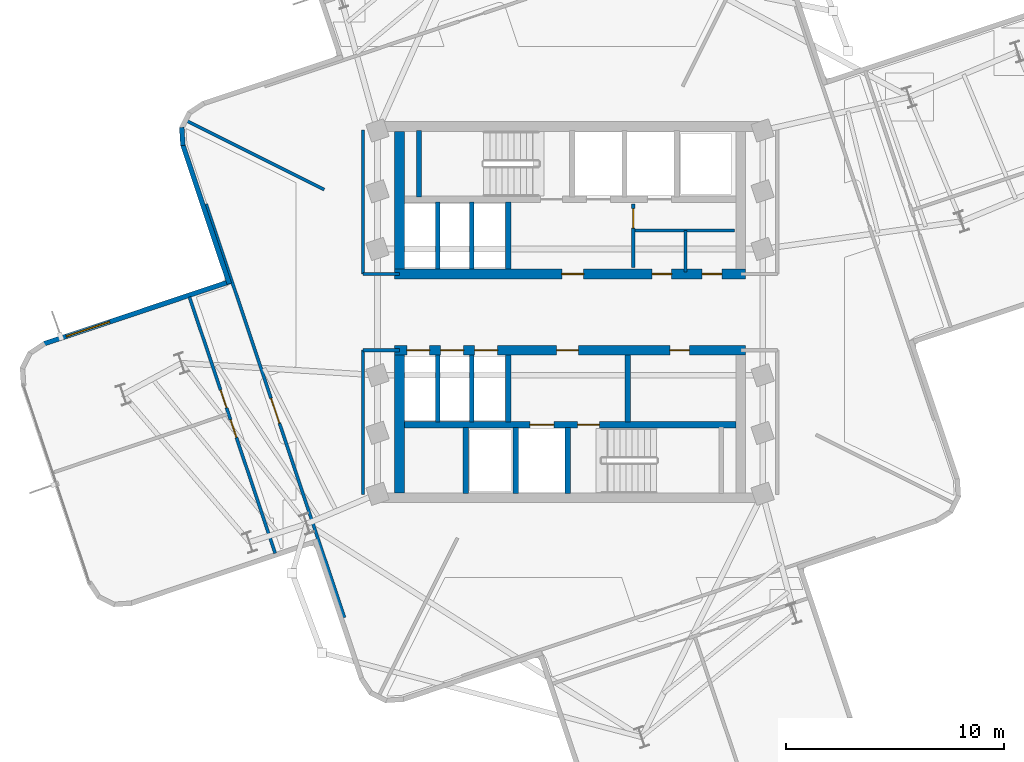
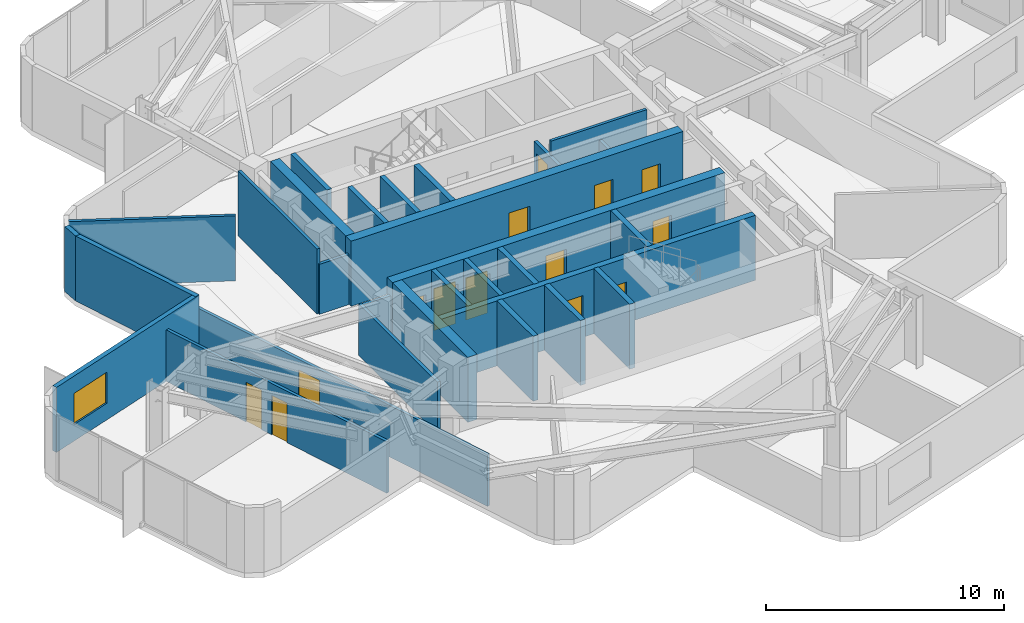
# One storey, part 7 of 12: 29 walls, 14 doors, 1 window, 15 openings.
"""IFC4 building model written with IfcOpenShell, lengths in metres."""

from ifc_helpers import new_model, si_unit, direction, frame, frame_2d, origin, place, context, subcontext, project, spatial, rectangle, extrude, material, layer, layer_set, type_object, element, fill, save


model = new_model("IFC4")

# Units and contexts
model_context = context("Model", 3, precision=1e-05, world=origin(), true_north=direction((0.0, 1.0)))
body_context = subcontext(model_context, "Body", "Model", "MODEL_VIEW")
ifc_project = project(units=[si_unit("LENGTHUNIT", "METRE"), si_unit("AREAUNIT", "SQUARE_METRE"), si_unit("VOLUMEUNIT", "CUBIC_METRE"), si_unit("PLANEANGLEUNIT", "RADIAN"), si_unit("MASSUNIT", "GRAM", prefix="KILO")], contexts=[model_context])

# Site, building, storey
site_placement = place(None, origin())
site = spatial("IfcSite", under=ifc_project, at=site_placement, CompositionType="ELEMENT")
building_placement = place(site_placement, origin())
building = spatial("IfcBuilding", under=site, at=building_placement, Name="Solmarez Civic Tower", CompositionType="ELEMENT")
storey_placement = place(building_placement, frame((0.0, 0.0, 163.080078125)))
storey = spatial("IfcBuildingStorey", under=building, at=storey_placement, Name="L43", CompositionType="ELEMENT", Elevation=163.080078125)

# Wall, openings, doors
ifc_material_1 = material(Name="Concrete C50/60", Category="concrete")
ifc_layer_1 = layer(ifc_material_1, 0.449951171875)
ifc_layer_set_1 = layer_set([ifc_layer_1], Name="Concrete C50/60")
wall_type_1 = type_object("IfcWallType", Name="WALL-CORE-450", PredefinedType="SHEAR", material=ifc_layer_set_1)
wall_1_placement = place(storey_placement, frame((8.070068359375, 1.75, 0.0), z_axis=(0.0, 0.0, 1.0), x_axis=(-1.0, 0.0, 0.0)))
wall_1 = element("IfcWall", 1, at=wall_1_placement, inside=storey, type_object=wall_type_1, Name="L43 Split-Core Structural Wall NCW-S-L43", PredefinedType="SHEAR", context=body_context, shape_type="SweptSolid", body=[
    extrude(rectangle(XDim=16.14013671875, YDim=0.449951171875, at=frame_2d((8.070068359375, 0.0))), origin(), (0.0, 0.0, 1.0), 3.33984375),
])
opening_1_placement = place(wall_1_placement, frame((7.449951171875, 0.0, 0.0)))
opening_1 = element("IfcOpeningElement", 2, at=opening_1_placement, cuts=wall_1, Name="Opening D-04", PredefinedType="OPENING", context=body_context, shape_type="SweptSolid", body=[
    extrude(rectangle(XDim=1.0, YDim=2.10009765625, at=frame_2d((0.5, 1.050048828125))), frame((0.0, 0.23486328125, 0.0), z_axis=(0.0, -1.0, 0.0), x_axis=(1.0, 0.0, 0.0)), (0.0, 0.0, 1.0), 0.469970703125),
])
opening_2_placement = place(wall_1_placement, frame((3.39990234375, 0.0, 0.0)))
opening_2 = element("IfcOpeningElement", 3, at=opening_2_placement, cuts=wall_1, Name="Opening D-09", PredefinedType="OPENING", context=body_context, shape_type="SweptSolid", body=[
    extrude(rectangle(XDim=0.89990234375, YDim=2.06005859375, at=frame_2d((0.449951171875, 1.030029296875))), frame((0.0, 0.23486328125, 0.0), z_axis=(0.0, -1.0, 0.0), x_axis=(1.0, 0.0, 0.0)), (0.0, 0.0, 1.0), 0.469970703125),
])
opening_3_placement = place(wall_1_placement, frame((1.10009765625, 0.0, 0.0)))
opening_3 = element("IfcOpeningElement", 4, at=opening_3_placement, cuts=wall_1, Name="Opening D-09", PredefinedType="OPENING", context=body_context, shape_type="SweptSolid", body=[
    extrude(rectangle(XDim=0.89990234375, YDim=2.06005859375, at=frame_2d((0.449951171875, 1.030029296875))), frame((0.0, 0.23486328125, 0.0), z_axis=(0.0, -1.0, 0.0), x_axis=(1.0, 0.0, 0.0)), (0.0, 0.0, 1.0), 0.469970703125),
])
ifc_material_2 = material(Name="Steel-Faced Acoustic Fire Door", Category="steel")
door_type_1 = type_object("IfcDoorType", Name="DOOR-FD60-1000", OperationType="NOTDEFINED", PredefinedType="DOOR", material=ifc_material_2)
door_1_placement = place(opening_1_placement, origin())
door_1 = element("IfcDoor", 5, at=door_1_placement, inside=storey, type_object=door_type_1, Name="L43 North Firefighting Lobby Door", OperationType="SINGLE_SWING_RIGHT", OverallHeight=2.10009765625, OverallWidth=1.0, PredefinedType="DOOR", context=body_context, shape_type="SweptSolid", body=[
    extrude(rectangle(XDim=1.0, YDim=2.10009765625, at=frame_2d((0.5, 1.050048828125))), frame((0.0, 0.02490234375, 0.0), z_axis=(0.0, -1.0, 0.0), x_axis=(1.0, 0.0, 0.0)), (0.0, 0.0, 1.0), 0.050048828125),
])
fill(opening_1, door_1)
ifc_material_3 = material(Name="Fire-Rated Service Core Door", Category="wood")
door_type_2 = type_object("IfcDoorType", Name="DOOR-FD60-900", OperationType="NOTDEFINED", PredefinedType="DOOR", material=ifc_material_3)
door_2_placement = place(opening_2_placement, origin())
door_2 = element("IfcDoor", 6, at=door_2_placement, inside=storey, type_object=door_type_2, Name="L43 Core WC Door", OperationType="SINGLE_SWING_LEFT", OverallHeight=2.06005859375, OverallWidth=0.89990234375, PredefinedType="DOOR", context=body_context, shape_type="SweptSolid", body=[
    extrude(rectangle(XDim=0.89990234375, YDim=2.06005859375, at=frame_2d((0.449951171875, 1.030029296875))), frame((0.0, 0.02490234375, 0.0), z_axis=(0.0, -1.0, 0.0), x_axis=(1.0, 0.0, 0.0)), (0.0, 0.0, 1.0), 0.050048828125),
])
fill(opening_2, door_2)
door_3_placement = place(opening_3_placement, origin())
door_3 = element("IfcDoor", 7, at=door_3_placement, inside=storey, type_object=door_type_2, Name="L43 Core CL Door", OperationType="SINGLE_SWING_RIGHT", OverallHeight=2.06005859375, OverallWidth=0.89990234375, PredefinedType="DOOR", context=body_context, shape_type="SweptSolid", body=[
    extrude(rectangle(XDim=0.89990234375, YDim=2.06005859375, at=frame_2d((0.449951171875, 1.030029296875))), frame((0.0, 0.02490234375, 0.0), z_axis=(0.0, -1.0, 0.0), x_axis=(1.0, 0.0, 0.0)), (0.0, 0.0, 1.0), 0.050048828125),
])
fill(opening_3, door_3)

# Wall
wall_2_placement = place(storey_placement, frame((-7.844970703125, 1.97509765625, 0.0), z_axis=(0.0, 0.0, 1.0), x_axis=(0.0, 1.0, 0.0)))
element("IfcWall", 8, at=wall_2_placement, inside=storey, type_object=wall_type_1, Name="L43 Split-Core Structural Wall NCW-W-L43", PredefinedType="SHEAR", context=body_context, shape_type="SweptSolid", body=[
    extrude(rectangle(XDim=6.3349609375, YDim=0.449951171875, at=frame_2d((3.16748046875, 0.0))), origin(), (0.0, 0.0, 1.0), 3.33984375),
])

# Wall, openings, doors
wall_3_placement = place(storey_placement, frame((-8.070068359375, -1.75, 0.0), z_axis=(0.0, 0.0, 1.0), x_axis=(1.0, 0.0, 0.0)))
wall_3 = element("IfcWall", 9, at=wall_3_placement, inside=storey, type_object=wall_type_1, Name="L43 Split-Core Structural Wall SCW-N-L43", PredefinedType="SHEAR", context=body_context, shape_type="SweptSolid", body=[
    extrude(rectangle(XDim=16.14013671875, YDim=0.449951171875, at=frame_2d((8.070068359375, 0.0))), origin(), (0.0, 0.0, 1.0), 3.33984375),
])
opening_4_placement = place(wall_3_placement, frame((7.449951171875, 0.0, 0.0)))
opening_4 = element("IfcOpeningElement", 10, at=opening_4_placement, cuts=wall_3, Name="Opening D-04", PredefinedType="OPENING", context=body_context, shape_type="SweptSolid", body=[
    extrude(rectangle(XDim=1.0, YDim=2.10009765625, at=frame_2d((0.5, 1.050048828125))), frame((0.0, 0.23486328125, 0.0), z_axis=(0.0, -1.0, 0.0), x_axis=(1.0, 0.0, 0.0)), (0.0, 0.0, 1.0), 0.469970703125),
])
opening_5_placement = place(wall_3_placement, frame((12.64990234375, 0.0, 0.0)))
opening_5 = element("IfcOpeningElement", 11, at=opening_5_placement, cuts=wall_3, Name="Opening D-09", PredefinedType="OPENING", context=body_context, shape_type="SweptSolid", body=[
    extrude(rectangle(XDim=0.89990234375, YDim=2.06005859375, at=frame_2d((0.449951171875, 1.030029296875))), frame((0.0, 0.23486328125, 0.0), z_axis=(0.0, -1.0, 0.0), x_axis=(1.0, 0.0, 0.0)), (0.0, 0.0, 1.0), 0.469970703125),
])
opening_6_placement = place(wall_3_placement, frame((0.56494140625, 0.0, 0.0)))
opening_6 = element("IfcOpeningElement", 12, at=opening_6_placement, cuts=wall_3, Name="Opening LD-01", PredefinedType="OPENING", context=body_context, shape_type="SweptSolid", body=[
    extrude(rectangle(XDim=1.050048828125, YDim=2.14990234375, at=frame_2d((0.52490234375, 1.074951171875))), frame((0.0, 0.23486328125, 0.0), z_axis=(0.0, -1.0, 0.0), x_axis=(1.0, 0.0, 0.0)), (0.0, 0.0, 1.0), 0.469970703125),
])
opening_7_placement = place(wall_3_placement, frame((2.125, 0.0, 0.0)))
opening_7 = element("IfcOpeningElement", 13, at=opening_7_placement, cuts=wall_3, Name="Opening LD-01", PredefinedType="OPENING", context=body_context, shape_type="SweptSolid", body=[
    extrude(rectangle(XDim=1.050048828125, YDim=2.14990234375, at=frame_2d((0.52490234375, 1.074951171875))), frame((0.0, 0.23486328125, 0.0), z_axis=(0.0, -1.0, 0.0), x_axis=(1.0, 0.0, 0.0)), (0.0, 0.0, 1.0), 0.469970703125),
])
opening_8_placement = place(wall_3_placement, frame((3.68505859375, 0.0, 0.0)))
opening_8 = element("IfcOpeningElement", 14, at=opening_8_placement, cuts=wall_3, Name="Opening LD-01", PredefinedType="OPENING", context=body_context, shape_type="SweptSolid", body=[
    extrude(rectangle(XDim=1.050048828125, YDim=2.14990234375, at=frame_2d((0.52490234375, 1.074951171875))), frame((0.0, 0.23486328125, 0.0), z_axis=(0.0, -1.0, 0.0), x_axis=(1.0, 0.0, 0.0)), (0.0, 0.0, 1.0), 0.469970703125),
])
door_4_placement = place(opening_4_placement, origin())
door_4 = element("IfcDoor", 15, at=door_4_placement, inside=storey, type_object=door_type_1, Name="L43 South Firefighting Lobby Door", OperationType="SINGLE_SWING_LEFT", OverallHeight=2.10009765625, OverallWidth=1.0, PredefinedType="DOOR", context=body_context, shape_type="SweptSolid", body=[
    extrude(rectangle(XDim=1.0, YDim=2.10009765625, at=frame_2d((0.5, 1.050048828125))), frame((0.0, 0.02490234375, 0.0), z_axis=(0.0, -1.0, 0.0), x_axis=(1.0, 0.0, 0.0)), (0.0, 0.0, 1.0), 0.050048828125),
])
fill(opening_4, door_4)
door_5_placement = place(opening_5_placement, origin())
door_5 = element("IfcDoor", 16, at=door_5_placement, inside=storey, type_object=door_type_2, Name="L43 Freed Hoistway Mailroom Door", OperationType="SINGLE_SWING_LEFT", OverallHeight=2.06005859375, OverallWidth=0.89990234375, PredefinedType="DOOR", context=body_context, shape_type="SweptSolid", body=[
    extrude(rectangle(XDim=0.89990234375, YDim=2.06005859375, at=frame_2d((0.449951171875, 1.030029296875))), frame((0.0, 0.02490234375, 0.0), z_axis=(0.0, -1.0, 0.0), x_axis=(1.0, 0.0, 0.0)), (0.0, 0.0, 1.0), 0.050048828125),
])
fill(opening_5, door_5)
ifc_material_4 = material(Name="Bronze Passenger Lift Landing Sliding Door", Category="aluminium")
door_type_3 = type_object("IfcDoorType", Name="DOOR-LD-PAX-1050", OperationType="DOUBLE_DOOR_SLIDING", PredefinedType="DOOR", material=ifc_material_4)
door_6_placement = place(opening_6_placement, origin())
door_6 = element("IfcDoor", 17, at=door_6_placement, inside=storey, type_object=door_type_3, Name="L43 Mid-Rise Lift Landing Door PL-M1", OperationType="DOUBLE_DOOR_SLIDING", OverallHeight=2.14990234375, OverallWidth=1.050048828125, PredefinedType="DOOR", context=body_context, shape_type="SweptSolid", body=[
    extrude(rectangle(XDim=1.050048828125, YDim=2.14990234375, at=frame_2d((0.52490234375, 1.074951171875))), frame((0.0, 0.02490234375, 0.0), z_axis=(0.0, -1.0, 0.0), x_axis=(1.0, 0.0, 0.0)), (0.0, 0.0, 1.0), 0.050048828125),
])
fill(opening_6, door_6)
door_7_placement = place(opening_7_placement, origin())
door_7 = element("IfcDoor", 18, at=door_7_placement, inside=storey, type_object=door_type_3, Name="L43 Mid-Rise Lift Landing Door PL-M2", OperationType="DOUBLE_DOOR_SLIDING", OverallHeight=2.14990234375, OverallWidth=1.050048828125, PredefinedType="DOOR", context=body_context, shape_type="SweptSolid", body=[
    extrude(rectangle(XDim=1.050048828125, YDim=2.14990234375, at=frame_2d((0.52490234375, 1.074951171875))), frame((0.0, 0.02490234375, 0.0), z_axis=(0.0, -1.0, 0.0), x_axis=(1.0, 0.0, 0.0)), (0.0, 0.0, 1.0), 0.050048828125),
])
fill(opening_7, door_7)
door_8_placement = place(opening_8_placement, origin())
door_8 = element("IfcDoor", 19, at=door_8_placement, inside=storey, type_object=door_type_3, Name="L43 Mid-Rise Lift Landing Door PL-M3", OperationType="DOUBLE_DOOR_SLIDING", OverallHeight=2.14990234375, OverallWidth=1.050048828125, PredefinedType="DOOR", context=body_context, shape_type="SweptSolid", body=[
    extrude(rectangle(XDim=1.050048828125, YDim=2.14990234375, at=frame_2d((0.52490234375, 1.074951171875))), frame((0.0, 0.02490234375, 0.0), z_axis=(0.0, -1.0, 0.0), x_axis=(1.0, 0.0, 0.0)), (0.0, 0.0, 1.0), 0.050048828125),
])
fill(opening_8, door_8)

# Wall
wall_4_placement = place(storey_placement, frame((-7.844970703125, -8.31005859375, 0.0), z_axis=(0.0, 0.0, 1.0), x_axis=(0.0, 1.0, 0.0)))
element("IfcWall", 20, at=wall_4_placement, inside=storey, type_object=wall_type_1, Name="L43 Split-Core Structural Wall SCW-W-L43", PredefinedType="SHEAR", context=body_context, shape_type="SweptSolid", body=[
    extrude(rectangle(XDim=6.3349609375, YDim=0.449951171875, at=frame_2d((3.16748046875, 0.0))), origin(), (0.0, 0.0, 1.0), 3.33984375),
])

# Wall, opening, window
ifc_material_5 = material(Name="Precast concrete C40/50", Category="concrete")
ifc_layer_2 = layer(ifc_material_5, 0.219970703125)
ifc_layer_set_2 = layer_set([ifc_layer_2], Name="Precast concrete C40/50")
wall_type_2 = type_object("IfcWallType", Name="WALL-EXT-220", PredefinedType="SOLIDWALL", material=ifc_layer_set_2)
wall_5_placement = place(storey_placement, frame((-24.197021484375, -1.462890625, 0.0), z_axis=(0.0, 0.0, 1.0), x_axis=(0.948337736373, 0.31726256913, 0.0)))
wall_5 = element("IfcWall", 21, at=wall_5_placement, inside=storey, type_object=wall_type_2, Name="L43 Exterior Precast Wall 10", PredefinedType="SOLIDWALL", context=body_context, shape_type="SweptSolid", body=[
    extrude(rectangle(XDim=9.05810546875, YDim=0.219970703125, at=frame_2d((4.529052734375, 0.0))), origin(), (0.0, 0.0, 1.0), 3.33984375),
])
opening_9_placement = place(wall_5_placement, frame((1.10009765625, 0.0, 0.85009765625)))
opening_9 = element("IfcOpeningElement", 22, at=opening_9_placement, cuts=wall_5, Name="Opening W-11", PredefinedType="OPENING", context=body_context, shape_type="SweptSolid", body=[
    extrude(rectangle(XDim=2.10009765625, YDim=1.60009765625, at=frame_2d((1.050048828125, 0.800048828125))), frame((0.0, 0.119873046875, 0.0), z_axis=(0.0, -1.0, 0.0), x_axis=(1.0, 0.0, 0.0)), (0.0, 0.0, 1.0), 0.239990234375),
])
ifc_material_6 = material(Name="Solar Control Bronze-Tinted Insulating Glass", Category="glass")
window_type = type_object("IfcWindowType", Name="WIN-2100X1600", PartitioningType="SINGLE_PANEL", PredefinedType="WINDOW", material=ifc_material_6)
window_placement = place(opening_9_placement, origin())
window = element("IfcWindow", 23, at=window_placement, inside=storey, type_object=window_type, Name="L43 Exterior Facade Window 10", OverallHeight=1.60009765625, OverallWidth=2.10009765625, PartitioningType="SINGLE_PANEL", PredefinedType="WINDOW", context=body_context, shape_type="SweptSolid", body=[
    extrude(rectangle(XDim=2.10009765625, YDim=1.60009765625, at=frame_2d((1.050048828125, 0.800048828125))), frame((0.0, 0.030029296875, 0.0), z_axis=(0.0, -1.0, 0.0), x_axis=(1.0, 0.0, 0.0)), (0.0, 0.0, 1.0), 0.06005859375),
])
fill(opening_9, window)

# Walls
wall_6_placement = place(storey_placement, frame((-15.662109375, 1.300048828125, 0.0), z_axis=(0.0, 0.0, 1.0), x_axis=(-0.317224676093, 0.948350412494, 0.0)))
element("IfcWall", 24, at=wall_6_placement, inside=storey, type_object=wall_type_2, Name="L43 Exterior Precast Wall 13", PredefinedType="SOLIDWALL", context=body_context, shape_type="SweptSolid", body=[
    extrude(rectangle(XDim=6.758056640625, YDim=0.219970703125, at=frame_2d((3.37890625, 0.0))), origin(), (0.0, 0.0, 1.0), 3.33984375),
])
wall_7_placement = place(storey_placement, frame((-17.7958984375, 7.659912109375, 0.0), z_axis=(0.0, 0.0, 1.0), x_axis=(-0.062305442082, 0.998057128569, 0.0)))
element("IfcWall", 25, at=wall_7_placement, inside=storey, type_object=wall_type_2, Name="L43 Exterior Precast Wall 14", PredefinedType="SOLIDWALL", context=body_context, shape_type="SweptSolid", body=[
    extrude(rectangle(XDim=0.834716796875, YDim=0.219970703125, at=frame_2d((0.41748046875, 0.0))), origin(), (0.0, 0.0, 1.0), 3.33984375),
])
ifc_material_7 = material(Name="Gypsum Board Acoustic Steel-Stud Partition", Category="steel")
ifc_layer_3 = layer(ifc_material_7, 0.14990234375)
ifc_layer_set_3 = layer_set([ifc_layer_3], Name="Gypsum Board Acoustic Steel-Stud Partition")
wall_type_3 = type_object("IfcWallType", Name="WALL-INT-FIRE-150", PredefinedType="PARTITIONING", material=ifc_layer_set_3)
wall_8_placement = place(storey_placement, frame((-9.52001953125, 1.75, 0.0), z_axis=(0.0, 0.0, 1.0), x_axis=(0.0, 1.0, 0.0)))
element("IfcWall", 26, at=wall_8_placement, inside=storey, type_object=wall_type_3, Name="L43 Interior Partition CHW-L43-WN1", PredefinedType="PARTITIONING", context=body_context, shape_type="SweptSolid", body=[
    extrude(rectangle(XDim=6.6298828125, YDim=0.14990234375, at=frame_2d((3.31494140625, 0.0))), origin(), (0.0, 0.0, 1.0), 3.33984375),
])
wall_9_placement = place(storey_placement, frame((-7.85009765625, 1.75, 0.0), z_axis=(0.0, 0.0, 1.0), x_axis=(-1.0, 0.0, 0.0)))
element("IfcWall", 27, at=wall_9_placement, inside=storey, type_object=wall_type_3, Name="L43 Interior Partition CHW-L43-WN3", PredefinedType="PARTITIONING", context=body_context, shape_type="SweptSolid", body=[
    extrude(rectangle(XDim=1.669921875, YDim=0.14990234375, at=frame_2d((0.8349609375, 0.0))), origin(), (0.0, 0.0, 1.0), 2.56982421875),
])
wall_10_placement = place(storey_placement, frame((-9.52001953125, -8.3798828125, 0.0), z_axis=(0.0, 0.0, 1.0), x_axis=(0.0, 1.0, 0.0)))
element("IfcWall", 28, at=wall_10_placement, inside=storey, type_object=wall_type_3, Name="L43 Interior Partition CHW-L43-WS1", PredefinedType="PARTITIONING", context=body_context, shape_type="SweptSolid", body=[
    extrude(rectangle(XDim=6.6298828125, YDim=0.14990234375, at=frame_2d((3.31494140625, 0.0))), origin(), (0.0, 0.0, 1.0), 2.64404296875),
])
wall_11_placement = place(storey_placement, frame((-7.85009765625, -1.75, 0.0), z_axis=(0.0, 0.0, 1.0), x_axis=(-1.0, 0.0, 0.0)))
element("IfcWall", 29, at=wall_11_placement, inside=storey, type_object=wall_type_3, Name="L43 Interior Partition CHW-L43-WS3", PredefinedType="PARTITIONING", context=body_context, shape_type="SweptSolid", body=[
    extrude(rectangle(XDim=1.669921875, YDim=0.14990234375, at=frame_2d((0.8349609375, 0.0))), origin(), (0.0, 0.0, 1.0), 2.56982421875),
])
ifc_layer_4 = layer(ifc_material_7, 0.14501953125)
ifc_layer_set_4 = layer_set([ifc_layer_4], Name="Gypsum Board Acoustic Steel-Stud Partition")
wall_type_4 = type_object("IfcWallType", Name="WALL-INT-PART-150", PredefinedType="PARTITIONING", material=ifc_layer_set_4)
wall_12_placement = place(storey_placement, frame((-11.300048828125, 5.634033203125, 0.0), z_axis=(0.0, 0.0, 1.0), x_axis=(-0.894904738475, 0.446257222972, 0.0)))
element("IfcWall", 30, at=wall_12_placement, inside=storey, type_object=wall_type_4, Name="L43 Interior Partition PT-L43-QDIV-2", PredefinedType="PARTITIONING", context=body_context, shape_type="SweptSolid", body=[
    extrude(rectangle(XDim=7.047607421875, YDim=0.14501953125, at=frame_2d((3.52392578125, 0.0))), origin(), (0.0, 0.0, 1.0), 3.33984375),
])

# Wall, opening, door
wall_13_placement = place(storey_placement, frame((-10.3720703125, -14.037109375, 0.0), z_axis=(0.0, 0.0, 1.0), x_axis=(-0.317298382655, 0.94832575435, 0.0)))
wall_13 = element("IfcWall", 31, at=wall_13_placement, inside=storey, type_object=wall_type_4, Name="L43 Interior Partition PT-L43-W-ENT", PredefinedType="PARTITIONING", context=body_context, shape_type="SweptSolid", body=[
    extrude(rectangle(XDim=20.040771484375, YDim=0.14501953125, at=frame_2d((10.0205078125, 0.0))), origin(), (0.0, 0.0, 1.0), 2.64404296875),
])
opening_10_placement = place(wall_13_placement, frame((9.419921875, 0.0, 0.0)))
opening_10 = element("IfcOpeningElement", 32, at=opening_10_placement, cuts=wall_13, Name="Opening D-11", PredefinedType="OPENING", context=body_context, shape_type="SweptSolid", body=[
    extrude(rectangle(XDim=1.199951171875, YDim=2.10009765625, at=frame_2d((0.60009765625, 1.050048828125))), frame((0.0, 0.08251953125, 0.0), z_axis=(0.0, -1.0, 0.0), x_axis=(1.0, 0.0, 0.0)), (0.0, 0.0, 1.0), 0.1650390625),
])
ifc_material_8 = material(Name="Glazed-Vision Acoustic Chamber Door", Category="wood")
door_type_4 = type_object("IfcDoorType", Name="DOOR-INT-1200", OperationType="NOTDEFINED", PredefinedType="DOOR", material=ifc_material_8)
door_9_placement = place(opening_10_placement, origin())
door_9 = element("IfcDoor", 33, at=door_9_placement, inside=storey, type_object=door_type_4, Name="L43 Security Control Room First West Door", OperationType="SINGLE_SWING_LEFT", OverallHeight=2.10009765625, OverallWidth=1.199951171875, PredefinedType="DOOR", context=body_context, shape_type="SweptSolid", body=[
    extrude(rectangle(XDim=1.199951171875, YDim=2.10009765625, at=frame_2d((0.60009765625, 1.050048828125))), frame((0.0, 0.02490234375, 0.0), z_axis=(0.0, -1.0, 0.0), x_axis=(1.0, 0.0, 0.0)), (0.0, 0.0, 1.0), 0.050048828125),
])
fill(opening_10, door_9)

# Wall, openings, doors
wall_14_placement = place(storey_placement, frame((-17.49609375, 0.699951171875, 0.0), z_axis=(0.0, 0.0, 1.0), x_axis=(0.317299961245, -0.948325226172, 0.0)))
wall_14 = element("IfcWall", 34, at=wall_14_placement, inside=storey, type_object=wall_type_4, Name="L43 Interior Partition PT-L43-W-SCUT", PredefinedType="PARTITIONING", context=body_context, shape_type="SweptSolid", body=[
    extrude(rectangle(XDim=12.43017578125, YDim=0.14501953125, at=frame_2d((6.215087890625, 0.0))), origin(), (0.0, 0.0, 1.0), 2.64404296875),
])
opening_11_placement = place(wall_14_placement, frame((4.514892578125, 0.0, 0.0)))
opening_11 = element("IfcOpeningElement", 35, at=opening_11_placement, cuts=wall_14, Name="Opening D-14", PredefinedType="OPENING", context=body_context, shape_type="SweptSolid", body=[
    extrude(rectangle(XDim=0.860107421875, YDim=2.0400390625, at=frame_2d((0.43017578125, 1.02001953125))), frame((0.0, 0.08251953125, 0.0), z_axis=(0.0, -1.0, 0.0), x_axis=(1.0, 0.0, 0.0)), (0.0, 0.0, 1.0), 0.1650390625),
])
opening_12_placement = place(wall_14_placement, frame((5.955078125, 0.0, 0.0)))
opening_12 = element("IfcOpeningElement", 36, at=opening_12_placement, cuts=wall_14, Name="Opening D-14", PredefinedType="OPENING", context=body_context, shape_type="SweptSolid", body=[
    extrude(rectangle(XDim=0.860107421875, YDim=2.0400390625, at=frame_2d((0.43017578125, 1.02001953125))), frame((0.0, 0.08251953125, 0.0), z_axis=(0.0, -1.0, 0.0), x_axis=(1.0, 0.0, 0.0)), (0.0, 0.0, 1.0), 0.1650390625),
])
ifc_material_9 = material(Name="Timber Storage and Pantry Door", Category="wood")
door_type_5 = type_object("IfcDoorType", Name="DOOR-INT-850", OperationType="NOTDEFINED", PredefinedType="DOOR", material=ifc_material_9)
door_10_placement = place(opening_11_placement, origin())
door_10 = element("IfcDoor", 37, at=door_10_placement, inside=storey, type_object=door_type_5, Name="L43 Public Reception Room Third West Door", OperationType="SINGLE_SWING_RIGHT", OverallHeight=2.0400390625, OverallWidth=0.860107421875, PredefinedType="DOOR", context=body_context, shape_type="SweptSolid", body=[
    extrude(rectangle(XDim=0.860107421875, YDim=2.0400390625, at=frame_2d((0.43017578125, 1.02001953125))), frame((0.0, 0.02490234375, 0.0), z_axis=(0.0, -1.0, 0.0), x_axis=(1.0, 0.0, 0.0)), (0.0, 0.0, 1.0), 0.050048828125),
])
fill(opening_11, door_10)
door_11_placement = place(opening_12_placement, origin())
door_11 = element("IfcDoor", 38, at=door_11_placement, inside=storey, type_object=door_type_5, Name="L43 Ministry Conference Room Second West Door", OperationType="SINGLE_SWING_LEFT", OverallHeight=2.0400390625, OverallWidth=0.860107421875, PredefinedType="DOOR", context=body_context, shape_type="SweptSolid", body=[
    extrude(rectangle(XDim=0.860107421875, YDim=2.0400390625, at=frame_2d((0.43017578125, 1.02001953125))), frame((0.0, 0.02490234375, 0.0), z_axis=(0.0, -1.0, 0.0), x_axis=(1.0, 0.0, 0.0)), (0.0, 0.0, 1.0), 0.050048828125),
])
fill(opening_12, door_11)

# Wall, opening, door
ifc_layer_5 = layer(ifc_material_7, 0.159912109375)
ifc_layer_set_5 = layer_set([ifc_layer_5], Name="Gypsum Board Acoustic Steel-Stud Partition")
wall_type_5 = type_object("IfcWallType", Name="WALL-INT-SHAFT-160", PredefinedType="PARTITIONING", material=ifc_layer_set_5)
wall_15_placement = place(storey_placement, frame((2.89990234375, 2.0400390625, 0.0), z_axis=(0.0, 0.0, 1.0), x_axis=(0.0, 1.0, 0.0)))
wall_15 = element("IfcWall", 39, at=wall_15_placement, inside=storey, type_object=wall_type_5, Name="L43 Interior Partition SHW-NL2-L43", PredefinedType="PARTITIONING", context=body_context, shape_type="SweptSolid", body=[
    extrude(rectangle(XDim=2.93994140625, YDim=0.159912109375, at=frame_2d((1.469970703125, 0.0))), origin(), (0.0, 0.0, 1.0), 2.56982421875),
])
opening_13_placement = place(wall_15_placement, frame((1.820068359375, 0.0, 0.0)))
opening_13 = element("IfcOpeningElement", 40, at=opening_13_placement, cuts=wall_15, Name="Opening D-09", PredefinedType="OPENING", context=body_context, shape_type="SweptSolid", body=[
    extrude(rectangle(XDim=0.89990234375, YDim=2.06005859375, at=frame_2d((0.449951171875, 1.030029296875))), frame((0.0, 0.08984375, 0.0), z_axis=(0.0, -1.0, 0.0), x_axis=(1.0, 0.0, 0.0)), (0.0, 0.0, 1.0), 0.179931640625),
])
door_12_placement = place(opening_13_placement, origin())
door_12 = element("IfcDoor", 41, at=door_12_placement, inside=storey, type_object=door_type_2, Name="L43 Service Lift Lobby Door", OperationType="SINGLE_SWING_LEFT", OverallHeight=2.06005859375, OverallWidth=0.89990234375, PredefinedType="DOOR", context=body_context, shape_type="SweptSolid", body=[
    extrude(rectangle(XDim=0.89990234375, YDim=2.06005859375, at=frame_2d((0.449951171875, 1.030029296875))), frame((0.0, 0.02490234375, 0.0), z_axis=(0.0, -1.0, 0.0), x_axis=(1.0, 0.0, 0.0)), (0.0, 0.0, 1.0), 0.050048828125),
])
fill(opening_13, door_12)

# Walls
ifc_layer_6 = layer(ifc_material_7, 0.137939453125)
ifc_layer_set_6 = layer_set([ifc_layer_6], Name="Gypsum Board Acoustic Steel-Stud Partition")
wall_type_6 = type_object("IfcWallType", Name="WALL-INT-WET-140", PredefinedType="PARTITIONING", material=ifc_layer_set_6)
wall_16_placement = place(storey_placement, frame((2.89990234375, 3.739990234375, 0.0), z_axis=(0.0, 0.0, 1.0), x_axis=(1.0, 0.0, 0.0)))
element("IfcWall", 42, at=wall_16_placement, inside=storey, type_object=wall_type_6, Name="L43 Interior Partition SHW-SVH-L43", PredefinedType="PARTITIONING", context=body_context, shape_type="SweptSolid", body=[
    extrude(rectangle(XDim=4.650146484375, YDim=0.137939453125, at=frame_2d((2.3251953125, 0.0))), origin(), (0.0, 0.0, 1.0), 3.33984375),
])
wall_17_placement = place(storey_placement, frame((5.300048828125, 1.85009765625, 0.0), z_axis=(0.0, 0.0, 1.0), x_axis=(0.0, 1.0, 0.0)))
element("IfcWall", 43, at=wall_17_placement, inside=storey, type_object=wall_type_6, Name="L43 Interior Partition PT-NCSV-L43", PredefinedType="PARTITIONING", context=body_context, shape_type="SweptSolid", body=[
    extrude(rectangle(XDim=1.889892578125, YDim=0.137939453125, at=frame_2d((0.94482421875, 0.0))), origin(), (0.0, 0.0, 1.0), 2.56982421875),
])

# Wall, openings, doors
ifc_layer_7 = layer(ifc_material_1, 0.300048828125)
ifc_layer_set_7 = layer_set([ifc_layer_7], Name="Concrete C50/60")
wall_type_7 = type_object("IfcWallType", Name="WALL-STR-300", PredefinedType="SOLIDWALL", material=ifc_layer_set_7)
wall_18_placement = place(storey_placement, frame((-7.6201171875, -5.179931640625, 0.0), z_axis=(0.0, 0.0, 1.0), x_axis=(1.0, 0.0, 0.0)))
wall_18 = element("IfcWall", 44, at=wall_18_placement, inside=storey, type_object=wall_type_7, Name="L43 Split-Core Structural Wall SCW-M-L43", PredefinedType="SOLIDWALL", context=body_context, shape_type="SweptSolid", body=[
    extrude(rectangle(XDim=15.240234375, YDim=0.300048828125, at=frame_2d((7.6201171875, 0.0))), origin(), (0.0, 0.0, 1.0), 3.33984375),
])
opening_14_placement = place(wall_18_placement, frame((5.77001953125, 0.0, 0.0)))
opening_14 = element("IfcOpeningElement", 45, at=opening_14_placement, cuts=wall_18, Name="Opening LD-02", PredefinedType="OPENING", context=body_context, shape_type="SweptSolid", body=[
    extrude(rectangle(XDim=1.10009765625, YDim=2.14990234375, at=frame_2d((0.550048828125, 1.074951171875))), frame((0.0, 0.159912109375, 0.0), z_axis=(0.0, -1.0, 0.0), x_axis=(1.0, 0.0, 0.0)), (0.0, 0.0, 1.0), 0.320068359375),
])
opening_15_placement = place(wall_18_placement, frame((7.969970703125, 0.0, 0.0)))
opening_15 = element("IfcOpeningElement", 46, at=opening_15_placement, cuts=wall_18, Name="Opening D-05", PredefinedType="OPENING", context=body_context, shape_type="SweptSolid", body=[
    extrude(rectangle(XDim=1.0, YDim=2.10009765625, at=frame_2d((0.5, 1.050048828125))), frame((0.0, 0.159912109375, 0.0), z_axis=(0.0, -1.0, 0.0), x_axis=(1.0, 0.0, 0.0)), (0.0, 0.0, 1.0), 0.320068359375),
])
ifc_material_10 = material(Name="Fire-Rated Stairwell Exit Door", Category="wood")
door_type_6 = type_object("IfcDoorType", Name="DOOR-FD90-1000", OperationType="NOTDEFINED", PredefinedType="DOOR", material=ifc_material_10)
door_13_placement = place(opening_15_placement, origin())
door_13 = element("IfcDoor", 47, at=door_13_placement, inside=storey, type_object=door_type_6, Name="L43 South Exit Stair Door ST-2", OperationType="SINGLE_SWING_LEFT", OverallHeight=2.10009765625, OverallWidth=1.0, PredefinedType="DOOR", context=body_context, shape_type="SweptSolid", body=[
    extrude(rectangle(XDim=1.0, YDim=2.10009765625, at=frame_2d((0.5, 1.050048828125))), frame((0.0, 0.02490234375, 0.0), z_axis=(0.0, -1.0, 0.0), x_axis=(1.0, 0.0, 0.0)), (0.0, 0.0, 1.0), 0.050048828125),
])
fill(opening_15, door_13)
ifc_material_11 = material(Name="Stainless Firefighting Lift Landing Sliding Door", Category="aluminium")
door_type_7 = type_object("IfcDoorType", Name="DOOR-LD-FF-1100", OperationType="DOUBLE_DOOR_SLIDING", PredefinedType="DOOR", material=ifc_material_11)
door_14_placement = place(opening_14_placement, origin())
door_14 = element("IfcDoor", 48, at=door_14_placement, inside=storey, type_object=door_type_7, Name="L43 Firefighting Lift Landing Door FFL-2", OperationType="DOUBLE_DOOR_SLIDING", OverallHeight=2.14990234375, OverallWidth=1.10009765625, PredefinedType="DOOR", context=body_context, shape_type="SweptSolid", body=[
    extrude(rectangle(XDim=1.10009765625, YDim=2.14990234375, at=frame_2d((0.550048828125, 1.074951171875))), frame((0.0, 0.02490234375, 0.0), z_axis=(0.0, -1.0, 0.0), x_axis=(1.0, 0.0, 0.0)), (0.0, 0.0, 1.0), 0.050048828125),
])
fill(opening_14, door_14)

# Walls
wall_19_placement = place(storey_placement, frame((-6.949951171875, 5.280029296875, 0.0), z_axis=(0.0, 0.0, 1.0), x_axis=(0.0, 1.0, 0.0)))
element("IfcWall", 49, at=wall_19_placement, inside=storey, type_object=wall_type_7, Name="L43 Split-Core Structural Wall SHW-NW-L43", PredefinedType="SOLIDWALL", context=body_context, shape_type="SweptSolid", body=[
    extrude(rectangle(XDim=3.06005859375, YDim=0.219970703125, at=frame_2d((1.530029296875, 0.0))), origin(), (0.0, 0.0, 1.0), 3.33984375),
])
wall_20_placement = place(storey_placement, frame((-2.85009765625, 1.97998046875, 0.0), z_axis=(0.0, 0.0, 1.0), x_axis=(0.0, 1.0, 0.0)))
element("IfcWall", 50, at=wall_20_placement, inside=storey, type_object=wall_type_7, Name="L43 Split-Core Structural Wall SHW-NL1-L43", PredefinedType="SOLIDWALL", context=body_context, shape_type="SweptSolid", body=[
    extrude(rectangle(XDim=3.070068359375, YDim=0.25, at=frame_2d((1.53515625, 0.0))), origin(), (0.0, 0.0, 1.0), 3.33984375),
])
for number, where, z_axis, x_axis, name in (
    (51, (-0.10009765625, -8.340087890625, 0.0), (0.0, 0.0, 1.0), (0.0, 1.0, 0.0), "L43 Split-Core Structural Wall SHW-S1-L43"),
    (52, (-2.5, -8.340087890625, 0.0), (0.0, 0.0, 1.0), (0.0, 1.0, 0.0), "L43 Split-Core Structural Wall SHW-S2-L43"),
    (53, (-4.800048828125, -8.340087890625, 0.0), (0.0, 0.0, 1.0), (0.0, 1.0, 0.0), "L43 Split-Core Structural Wall SHW-S3-L43"),
):
    element("IfcWall", number, at=place(storey_placement, frame(where, z_axis=z_axis, x_axis=x_axis)), inside=storey, type_object=wall_type_7, Name=name, PredefinedType="SOLIDWALL", context=body_context, shape_type="SweptSolid", body=[
        extrude(rectangle(XDim=3.0400390625, YDim=0.25, at=frame_2d((1.52001953125, 0.0))), origin(), (0.0, 0.0, 1.0), 3.33984375),
    ])
for number, where, z_axis, x_axis, name in (
    (54, (-2.85009765625, -5.050048828125, 0.0), (0.0, 0.0, 1.0), (0.0, 1.0, 0.0), "L43 Split-Core Structural Wall SHW-SL1-L43"),
    (55, (2.64990234375, -5.050048828125, 0.0), (0.0, 0.0, 1.0), (0.0, 1.0, 0.0), "L43 Split-Core Structural Wall SHW-SL2-L43"),
):
    element("IfcWall", number, at=place(storey_placement, frame(where, z_axis=z_axis, x_axis=x_axis)), inside=storey, type_object=wall_type_7, Name=name, PredefinedType="SOLIDWALL", context=body_context, shape_type="SweptSolid", body=[
        extrude(rectangle(XDim=3.070068359375, YDim=0.25, at=frame_2d((1.53515625, 0.0))), origin(), (0.0, 0.0, 1.0), 3.33984375),
    ])
for number, where, z_axis, x_axis, name in (
    (56, (-6.080078125, 1.97998046875, 0.0), (0.0, 0.0, 1.0), (0.0, 1.0, 0.0), "L43 Split-Core Structural Wall SHW-PLH-L43-1"),
    (57, (-4.52001953125, 1.97998046875, 0.0), (0.0, 0.0, 1.0), (0.0, 1.0, 0.0), "L43 Split-Core Structural Wall SHW-PLH-L43-2"),
    (58, (-6.080078125, -5.050048828125, 0.0), (0.0, 0.0, 1.0), (0.0, 1.0, 0.0), "L43 Split-Core Structural Wall SHW-PLM-L43-1"),
    (59, (-4.52001953125, -5.050048828125, 0.0), (0.0, 0.0, 1.0), (0.0, 1.0, 0.0), "L43 Split-Core Structural Wall SHW-PLM-L43-2"),
):
    element("IfcWall", number, at=place(storey_placement, frame(where, z_axis=z_axis, x_axis=x_axis)), inside=storey, type_object=wall_type_7, Name=name, PredefinedType="SOLIDWALL", context=body_context, shape_type="SweptSolid", body=[
        extrude(rectangle(XDim=3.070068359375, YDim=0.219970703125, at=frame_2d((1.53515625, 0.0))), origin(), (0.0, 0.0, 1.0), 3.33984375),
    ])

save(model, "model.ifc")
